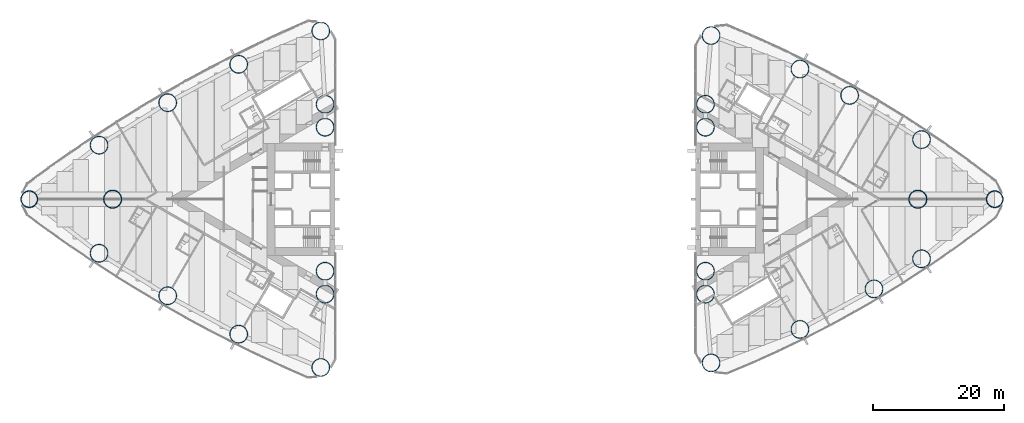
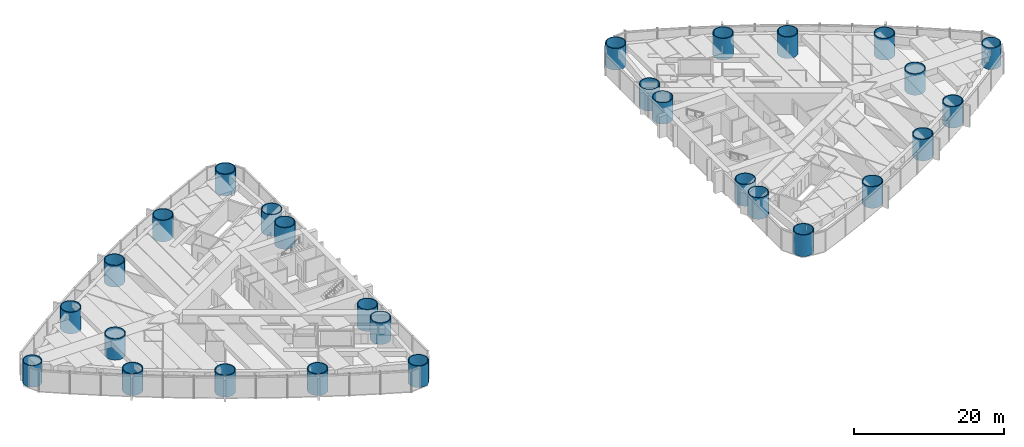
# One storey, part 1 of 19: 28 columns.
"""IFC4 building model written with IfcOpenShell, lengths in metres."""

from ifc_helpers import new_model, si_unit, direction, frame, origin, origin_2d, place, context, subcontext, project, spatial, hollow_circle, extrude, material, material_profile, profile_set, type_object, element, save


model = new_model("IFC4")

# Units and contexts
model_context = context("Model", 3, precision=1e-05, world=origin(), true_north=direction((0.0, 1.0)))
body_context = subcontext(model_context, "Body", "Model", "MODEL_VIEW")
ifc_project = project(units=[si_unit("LENGTHUNIT", "METRE"), si_unit("AREAUNIT", "SQUARE_METRE"), si_unit("VOLUMEUNIT", "CUBIC_METRE"), si_unit("PLANEANGLEUNIT", "RADIAN"), si_unit("MASSUNIT", "GRAM", prefix="KILO")], contexts=[model_context])

# Site, building, storey
site_placement = place(None, origin())
site = spatial("IfcSite", under=ifc_project, at=site_placement, CompositionType="ELEMENT")
building_placement = place(site_placement, origin())
building = spatial("IfcBuilding", under=site, at=building_placement, Name="Lancet Gate Hotel", CompositionType="ELEMENT")
storey_placement = place(building_placement, frame((0.0, 0.0, 74.0)))
storey = spatial("IfcBuildingStorey", under=building, at=storey_placement, Name="L19", CompositionType="ELEMENT", Elevation=74.0)

# Columns
ifc_material_1 = material(Name="Composite filled tube, grade 460 plate, grade 80/95 fill", Category="composite")
ifc_material_profile_1 = material_profile(ifc_material_1, hollow_circle(Radius=1.39990234375, WallThickness=0.10009765625, at=origin_2d()), Name="CHS 2800x100")
ifc_profile_set_1 = profile_set([ifc_material_profile_1], Name="Composite filled tube, grade 460 plate, grade 80/95 fill")
column_type_1 = type_object("IfcColumnType", Name="Apex column CFT CHS 2800x100", PredefinedType="COLUMN", material=ifc_profile_set_1)
for number, where, z_axis, x_axis, name in (
    (1, (-61.5, 0.0, 0.0), (0.0, 0.0, 1.0), (1.0, 0.0, 0.0), "T1 column AX L19"),
    (2, (61.5, 0.0, 0.0), (0.0, 0.0, 1.0), (1.0, 0.0, 0.0), "T2 column AX L19"),
):
    element("IfcColumn", number, at=place(storey_placement, frame(where, z_axis=z_axis, x_axis=x_axis)), inside=storey, type_object=column_type_1, Name=name, PredefinedType="COLUMN", context=body_context, shape_type="SweptSolid", body=[
        extrude(hollow_circle(Radius=1.39990234375, WallThickness=0.10009765625, at=origin_2d()), origin(), (0.0, 0.0, 1.0), 3.5),
    ])
ifc_material_2 = material(Name="Composite filled tube, grade 460 plate, grade 80/95 fill", Category="composite")
ifc_material_profile_2 = material_profile(ifc_material_2, hollow_circle(Radius=1.300048828125, WallThickness=0.10009765625, at=origin_2d()), Name="CHS 2600x100")
ifc_profile_set_2 = profile_set([ifc_material_profile_2], Name="Composite filled tube, grade 460 plate, grade 80/95 fill")
column_type_2 = type_object("IfcColumnType", Name="Apex corner column CFT CHS 2600x100", PredefinedType="COLUMN", material=ifc_profile_set_2)
for number, where, z_axis, x_axis, name in (
    (3, (-74.235107421875, 0.0, 0.0), (0.0, 0.0, 1.0), (1.0, 0.0, 0.0), "T1 column CA L19"),
    (4, (73.2392578125, 0.0, 0.0), (0.0, 0.0, 1.0), (1.0, 0.0, 0.0), "T2 column CA L19"),
):
    element("IfcColumn", number, at=place(storey_placement, frame(where, z_axis=z_axis, x_axis=x_axis)), inside=storey, type_object=column_type_2, Name=name, PredefinedType="COLUMN", context=body_context, shape_type="SweptSolid", body=[
        extrude(hollow_circle(Radius=1.300048828125, WallThickness=0.10009765625, at=origin_2d()), origin(), (0.0, 0.0, 1.0), 3.5),
    ])
ifc_material_3 = material(Name="Composite filled tube, grade 460 plate, grade 80/95 fill", Category="composite")
ifc_material_profile_3 = material_profile(ifc_material_3, hollow_circle(Radius=1.39990234375, WallThickness=0.1201171875, at=origin_2d()), Name="CHS 2800x120")
ifc_profile_set_3 = profile_set([ifc_material_profile_3], Name="Composite filled tube, grade 460 plate, grade 80/95 fill")
column_type_3 = type_object("IfcColumnType", Name="Perimeter column CFT CHS 2800x120", PredefinedType="COLUMN", material=ifc_profile_set_3)
for number, where, z_axis, x_axis, name in (
    (5, (-29.703369140625, -25.70263671875, 0.0), (0.0, 0.0, 1.0), (1.0, 0.0, 0.0), "T1 column CN L19"),
    (6, (-29.703369140625, 25.70263671875, 0.0), (0.0, 0.0, 1.0), (1.0, 0.0, 0.0), "T1 column CS L19"),
    (7, (-29.050048828125, -11.0, 0.0), (0.0, 0.0, 1.0), (1.0, 0.0, 0.0), "T1 column IN L19"),
    (8, (-29.050048828125, 11.0, 0.0), (0.0, 0.0, 1.0), (1.0, 0.0, 0.0), "T1 column IS L19"),
    (9, (-29.050048828125, 14.5, 0.0), (0.0, 0.0, 1.0), (1.0, 0.0, 0.0), "T1 column IT L19"),
    (10, (-29.050048828125, -14.5, 0.0), (0.0, 0.0, 1.0), (1.0, 0.0, 0.0), "T1 column JT L19"),
    (11, (-63.57177734375, -8.255126953125, 0.0), (0.0, 0.0, 1.0), (1.0, 0.0, 0.0), "T1 column ON1 L19"),
    (12, (-53.090087890625, -14.744873046875, 0.0), (0.0, 0.0, 1.0), (1.0, 0.0, 0.0), "T1 column ON2 L19"),
    (13, (-42.2451171875, -20.607421875, 0.0), (0.0, 0.0, 1.0), (1.0, 0.0, 0.0), "T1 column ON3 L19"),
    (14, (-42.2451171875, 20.607421875, 0.0), (0.0, 0.0, 1.0), (1.0, 0.0, 0.0), "T1 column OS1 L19"),
    (15, (-53.090087890625, 14.744873046875, 0.0), (0.0, 0.0, 1.0), (1.0, 0.0, 0.0), "T1 column OS2 L19"),
    (16, (-63.57177734375, 8.255126953125, 0.0), (0.0, 0.0, 1.0), (1.0, 0.0, 0.0), "T1 column OS3 L19"),
    (17, (29.9111328125, 25.00244140625, 0.0), (0.0, 0.0, 1.0), (1.0, 0.0, 0.0), "T2 column CN L19"),
    (18, (29.9111328125, -25.00244140625, 0.0), (0.0, 0.0, 1.0), (1.0, 0.0, 0.0), "T2 column CS L19"),
    (19, (29.050048828125, 11.0, 0.0), (0.0, 0.0, 1.0), (1.0, 0.0, 0.0), "T2 column IN L19"),
    (20, (29.050048828125, -11.0, 0.0), (0.0, 0.0, 1.0), (1.0, 0.0, 0.0), "T2 column IS L19"),
    (21, (29.050048828125, -14.5, 0.0), (0.0, 0.0, 1.0), (1.0, 0.0, 0.0), "T2 column IT L19"),
    (22, (29.050048828125, 14.5, 0.0), (0.0, 0.0, 1.0), (1.0, 0.0, 0.0), "T2 column JT L19"),
    (23, (62.059326171875, 9.10498046875, 0.0), (0.0, 0.0, 1.0), (1.0, 0.0, 0.0), "T2 column ON1 L19"),
    (24, (51.07763671875, 15.8583984375, 0.0), (0.0, 0.0, 1.0), (1.0, 0.0, 0.0), "T2 column ON2 L19"),
    (25, (43.484130859375, 19.886474609375, 0.0), (0.0, 0.0, 1.0), (1.0, 0.0, 0.0), "T2 column ON3 L19"),
    (26, (43.484130859375, -19.886474609375, 0.0), (0.0, 0.0, 1.0), (1.0, 0.0, 0.0), "T2 column OS1 L19"),
    (27, (54.795166015625, -13.70068359375, 0.0), (0.0, 0.0, 1.0), (1.0, 0.0, 0.0), "T2 column OS2 L19"),
    (28, (62.059326171875, -9.10498046875, 0.0), (0.0, 0.0, 1.0), (1.0, 0.0, 0.0), "T2 column OS3 L19"),
):
    element("IfcColumn", number, at=place(storey_placement, frame(where, z_axis=z_axis, x_axis=x_axis)), inside=storey, type_object=column_type_3, Name=name, PredefinedType="COLUMN", context=body_context, shape_type="SweptSolid", body=[
        extrude(hollow_circle(Radius=1.39990234375, WallThickness=0.1201171875, at=origin_2d()), origin(), (0.0, 0.0, 1.0), 3.5),
    ])

save(model, "model.ifc")
